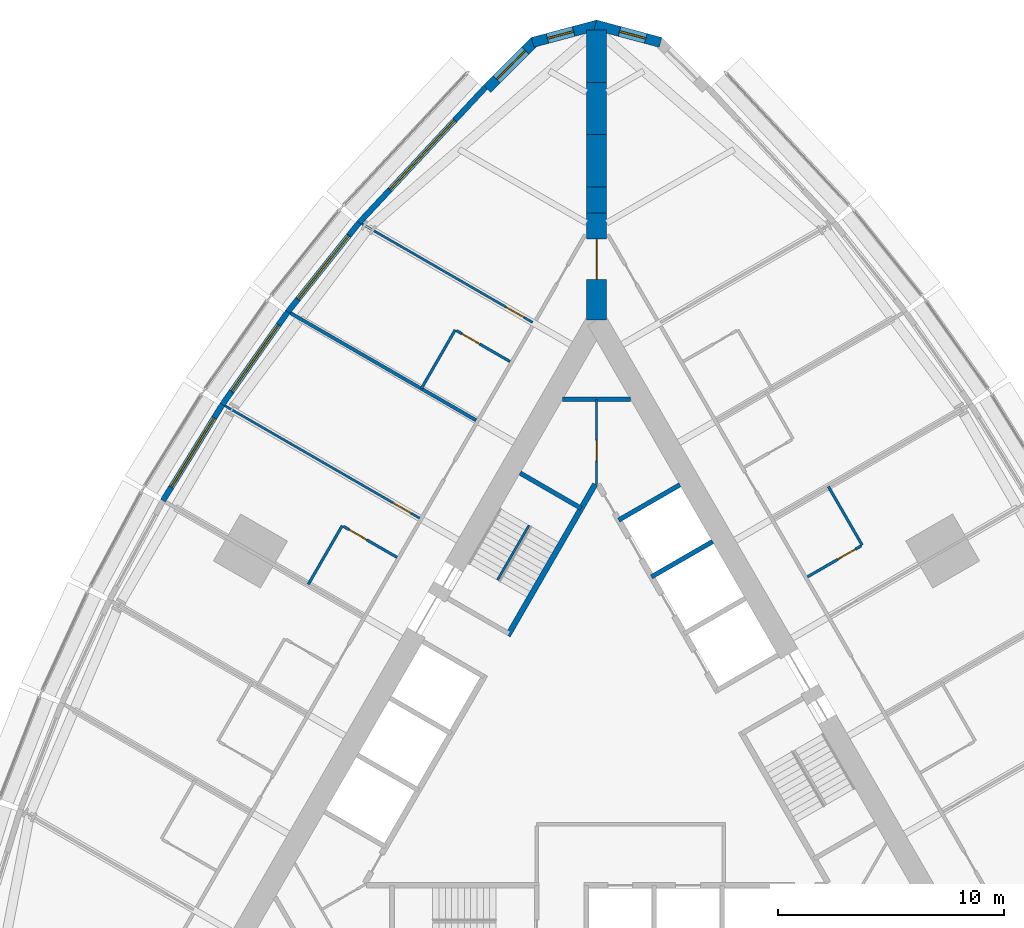
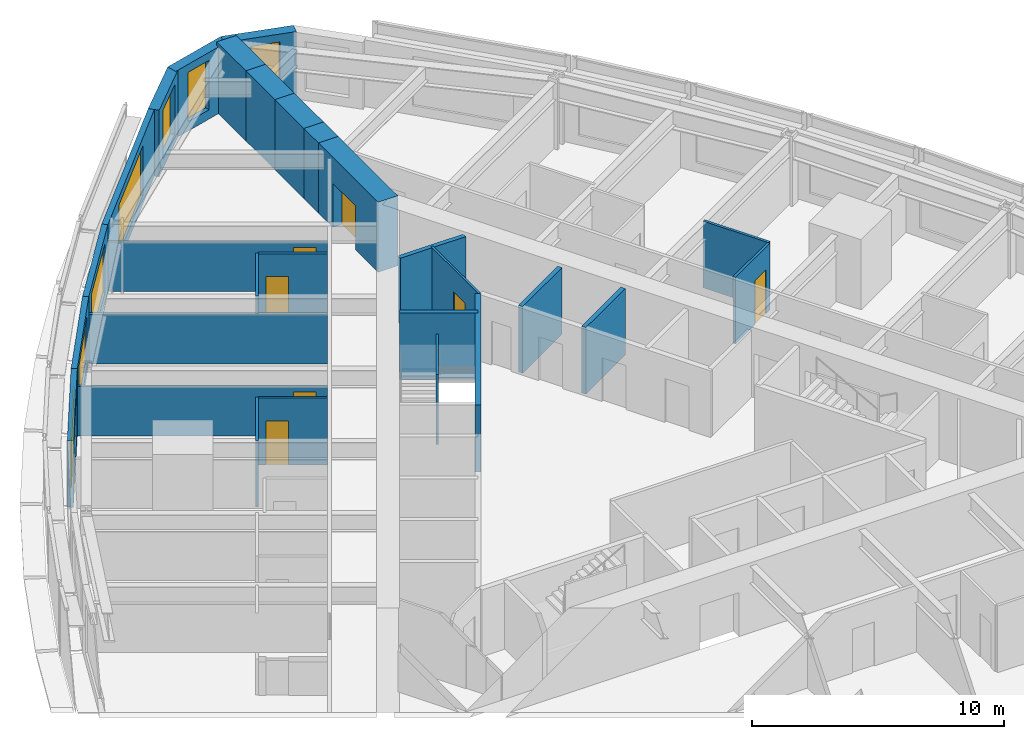
# One storey, part 12 of 14: 28 walls, 7 doors, 7 windows, 14 openings.
"""IFC4 building model written with IfcOpenShell, lengths in metres."""

from ifc_helpers import new_model, si_unit, direction, frame, frame_2d, origin, place, context, subcontext, project, spatial, polyline, rectangle, outline, extrude, material, layer, layer_set, type_object, element, fill, save


model = new_model("IFC4")

# Units and contexts
model_context = context("Model", 3, precision=1e-05, world=origin(), true_north=direction((0.0, 1.0)))
body_context = subcontext(model_context, "Body", "Model", "MODEL_VIEW")
ifc_project = project(units=[si_unit("LENGTHUNIT", "METRE"), si_unit("AREAUNIT", "SQUARE_METRE"), si_unit("VOLUMEUNIT", "CUBIC_METRE"), si_unit("PLANEANGLEUNIT", "RADIAN"), si_unit("MASSUNIT", "GRAM", prefix="KILO")], contexts=[model_context])

# Site, building, storey
site_placement = place(None, origin())
site = spatial("IfcSite", under=ifc_project, at=site_placement, CompositionType="ELEMENT")
building_placement = place(site_placement, origin())
building = spatial("IfcBuilding", under=site, at=building_placement, Name="Trikona Tower", CompositionType="ELEMENT")
storey_placement = place(building_placement, frame((0.0, 0.0, 69.300048828125)))
storey = spatial("IfcBuildingStorey", under=building, at=storey_placement, Name="L17", CompositionType="ELEMENT", Elevation=69.300048828125)

# Wall
ifc_material_1 = material(Name="Metal stud and cement board", Category="gypsum")
ifc_layer_1 = layer(ifc_material_1, 0.1201171875)
ifc_layer_set_1 = layer_set([ifc_layer_1], Name="Bathroom wall 120")
wall_type_1 = type_object("IfcWallType", Name="Bathroom wall 120", PredefinedType="PLUMBINGWALL", material=ifc_layer_set_1)
wall_1_placement = place(storey_placement, frame((11.75341796875, 9.09521484375, 0.0), z_axis=(0.0, 0.0, 1.0), x_axis=(-0.499990139034, 0.866031096941, 0.0)))
element("IfcWall", 1, at=wall_1_placement, inside=storey, type_object=wall_type_1, Name="Bathroom wall 1709.1", PredefinedType="PLUMBINGWALL", context=body_context, shape_type="SweptSolid", body=[
    extrude(rectangle(XDim=3.0, YDim=0.1201171875, at=frame_2d((1.5, 0.0))), origin(), (0.0, 0.0, 1.0), 3.23486328125),
])

# Wall, opening, door
wall_2_placement = place(storey_placement, frame((9.32861328125, 7.6953125, 0.0), z_axis=(0.0, 0.0, 1.0), x_axis=(0.866035715982, 0.499982138324, 0.0)))
wall_2 = element("IfcWall", 2, at=wall_2_placement, inside=storey, type_object=wall_type_1, Name="Bathroom wall 1709.1", PredefinedType="PLUMBINGWALL", context=body_context, shape_type="SweptSolid", body=[
    extrude(rectangle(XDim=2.73974609375, YDim=0.1201171875, at=frame_2d((1.369873046875, 0.0))), origin(), (0.0, 0.0, 1.0), 3.23486328125),
])
opening_1_placement = place(wall_2_placement, frame((1.550048828125, 0.0, 0.0)))
opening_1 = element("IfcOpeningElement", 3, at=opening_1_placement, cuts=wall_2, Name="Opening D2", PredefinedType="OPENING", context=body_context, shape_type="SweptSolid", body=[
    extrude(rectangle(XDim=0.89990234375, YDim=2.1298828125, at=frame_2d((0.449951171875, 1.06494140625))), frame((0.0, 0.070068359375, 0.0), z_axis=(0.0, -1.0, 0.0), x_axis=(1.0, 0.0, 0.0)), (0.0, 0.0, 1.0), 0.14013671875),
])
ifc_material_2 = material(Name="Steel door frame with solid-core timber leaf", Category="steel")
door_type_1 = type_object("IfcDoorType", Name="Bathroom door 900x2130", OperationType="SLIDING_TO_LEFT", PredefinedType="DOOR", material=ifc_material_2)
door_1_placement = place(opening_1_placement, origin())
door_1 = element("IfcDoor", 4, at=door_1_placement, inside=storey, type_object=door_type_1, Name="Bathroom door 1709.1", OperationType="SLIDING_TO_LEFT", OverallHeight=2.1298828125, OverallWidth=0.89990234375, PredefinedType="DOOR", context=body_context, shape_type="SweptSolid", body=[
    extrude(rectangle(XDim=0.89990234375, YDim=2.1298828125, at=frame_2d((0.449951171875, 1.06494140625))), frame((0.0, 0.02490234375, 0.0), z_axis=(0.0, -1.0, 0.0), x_axis=(1.0, 0.0, 0.0)), (0.0, 0.0, 1.0), 0.050048828125),
])
fill(opening_1, door_1)

# Wall
wall_3_placement = place(storey_placement, frame((-6.25341796875, 18.62158203125, 0.0), z_axis=(0.0, 0.0, 1.0), x_axis=(-0.499990139034, -0.866031096941, 0.0)))
element("IfcWall", 5, at=wall_3_placement, inside=storey, type_object=wall_type_1, Name="Bathroom wall 1712.1", PredefinedType="PLUMBINGWALL", context=body_context, shape_type="SweptSolid", body=[
    extrude(rectangle(XDim=3.0, YDim=0.1201171875, at=frame_2d((1.5, 0.0))), origin(), (0.0, 0.0, 1.0), 3.23486328125),
])

# Wall, opening, door
wall_4_placement = place(storey_placement, frame((-3.82861328125, 17.221435546875, 0.0), z_axis=(0.0, 0.0, 1.0), x_axis=(-0.865997131366, 0.500048966069, 0.0)))
wall_4 = element("IfcWall", 6, at=wall_4_placement, inside=storey, type_object=wall_type_1, Name="Bathroom wall 1712.1", PredefinedType="PLUMBINGWALL", context=body_context, shape_type="SweptSolid", body=[
    extrude(rectangle(XDim=2.739990234375, YDim=0.1201171875, at=frame_2d((1.3701171875, 0.0))), origin(), (0.0, 0.0, 1.0), 3.23486328125),
])
opening_2_placement = place(wall_4_placement, frame((1.550048828125, 0.0, 0.0)))
opening_2 = element("IfcOpeningElement", 7, at=opening_2_placement, cuts=wall_4, Name="Opening D2", PredefinedType="OPENING", context=body_context, shape_type="SweptSolid", body=[
    extrude(rectangle(XDim=0.89990234375, YDim=2.1298828125, at=frame_2d((0.449951171875, 1.06494140625))), frame((0.0, 0.070068359375, 0.0), z_axis=(0.0, -1.0, 0.0), x_axis=(1.0, 0.0, 0.0)), (0.0, 0.0, 1.0), 0.14013671875),
])
door_2_placement = place(opening_2_placement, origin())
door_2 = element("IfcDoor", 8, at=door_2_placement, inside=storey, type_object=door_type_1, Name="Bathroom door 1712.1", OperationType="SLIDING_TO_LEFT", OverallHeight=2.1298828125, OverallWidth=0.89990234375, PredefinedType="DOOR", context=body_context, shape_type="SweptSolid", body=[
    extrude(rectangle(XDim=0.89990234375, YDim=2.1298828125, at=frame_2d((0.449951171875, 1.06494140625))), frame((0.0, 0.02490234375, 0.0), z_axis=(0.0, -1.0, 0.0), x_axis=(1.0, 0.0, 0.0)), (0.0, 0.0, 1.0), 0.050048828125),
])
fill(opening_2, door_2)

# Wall
wall_5_placement = place(storey_placement, frame((-11.25341796875, 9.961181640625, 0.0), z_axis=(0.0, 0.0, 1.0), x_axis=(-0.499990139034, -0.866031096941, 0.0)))
element("IfcWall", 9, at=wall_5_placement, inside=storey, type_object=wall_type_1, Name="Bathroom wall 1713.1", PredefinedType="PLUMBINGWALL", context=body_context, shape_type="SweptSolid", body=[
    extrude(rectangle(XDim=3.0, YDim=0.1201171875, at=frame_2d((1.5, 0.0))), origin(), (0.0, 0.0, 1.0), 3.23486328125),
])

# Wall, opening, door
wall_6_placement = place(storey_placement, frame((-8.82861328125, 8.561279296875, 0.0), z_axis=(0.0, 0.0, 1.0), x_axis=(-0.866035715982, 0.499982138324, 0.0)))
wall_6 = element("IfcWall", 10, at=wall_6_placement, inside=storey, type_object=wall_type_1, Name="Bathroom wall 1713.1", PredefinedType="PLUMBINGWALL", context=body_context, shape_type="SweptSolid", body=[
    extrude(rectangle(XDim=2.73974609375, YDim=0.1201171875, at=frame_2d((1.369873046875, 0.0))), origin(), (0.0, 0.0, 1.0), 3.23486328125),
])
opening_3_placement = place(wall_6_placement, frame((1.550048828125, 0.0, 0.0)))
opening_3 = element("IfcOpeningElement", 11, at=opening_3_placement, cuts=wall_6, Name="Opening D2", PredefinedType="OPENING", context=body_context, shape_type="SweptSolid", body=[
    extrude(rectangle(XDim=0.89990234375, YDim=2.1298828125, at=frame_2d((0.449951171875, 1.06494140625))), frame((0.0, 0.070068359375, 0.0), z_axis=(0.0, -1.0, 0.0), x_axis=(1.0, 0.0, 0.0)), (0.0, 0.0, 1.0), 0.14013671875),
])
door_3_placement = place(opening_3_placement, origin())
door_3 = element("IfcDoor", 12, at=door_3_placement, inside=storey, type_object=door_type_1, Name="Bathroom door 1713.1", OperationType="SLIDING_TO_LEFT", OverallHeight=2.1298828125, OverallWidth=0.89990234375, PredefinedType="DOOR", context=body_context, shape_type="SweptSolid", body=[
    extrude(rectangle(XDim=0.89990234375, YDim=2.1298828125, at=frame_2d((0.449951171875, 1.06494140625))), frame((0.0, 0.02490234375, 0.0), z_axis=(0.0, -1.0, 0.0), x_axis=(1.0, 0.0, 0.0)), (0.0, 0.0, 1.0), 0.050048828125),
])
fill(opening_3, door_3)

# Wall, opening, window
ifc_material_3 = material(Name="Brick-faced precast concrete", Category="masonry")
ifc_layer_2 = layer(ifc_material_3, 0.449951171875)
ifc_layer_set_2 = layer_set([ifc_layer_2], Name="Brick-faced corner wall 450")
wall_type_2 = type_object("IfcWallType", Name="Brick-faced corner wall 450", PredefinedType="SOLIDWALL", material=ifc_layer_set_2)
wall_7_placement = place(storey_placement, frame((2.82861328125, 31.3408203125, 0.0), z_axis=(0.0, 0.0, 1.0), x_axis=(-0.965930548995, 0.258801419081, 0.0)))
wall_7 = element("IfcWall", 13, at=wall_7_placement, inside=storey, type_object=wall_type_2, Name="External wall L17-21", PredefinedType="SOLIDWALL", context=body_context, shape_type="SweptSolid", body=[
    extrude(outline(polyline([(2.988525390625, 0.22509765625), (2.92919921875, 0.22509765625), (2.4375, 0.09326171875), (2.40234375, 0.22509765625), (0.0, 0.22509765625), (0.0, -0.22509765625), (2.988525390625, -0.22509765625), (2.988525390625, 0.22509765625)])), origin(), (0.0, 0.0, 1.0), 3.23486328125),
])
opening_4_placement = place(wall_7_placement, frame((0.676025390625, 0.0, 0.449951171875)))
opening_4 = element("IfcOpeningElement", 14, at=opening_4_placement, cuts=wall_7, Name="Opening W1224", PredefinedType="OPENING", context=body_context, shape_type="SweptSolid", body=[
    extrude(rectangle(XDim=1.199951171875, YDim=2.39990234375, at=frame_2d((0.60009765625, 1.199951171875))), frame((0.0, 0.23486328125, 0.0), z_axis=(0.0, -1.0, 0.0), x_axis=(1.0, 0.0, 0.0)), (0.0, 0.0, 1.0), 0.469970703125),
])
ifc_material_4 = material(Name="Aluminium-framed double glazing", Category="aluminium")
window_type_1 = type_object("IfcWindowType", Name="Window 1200x2400", PartitioningType="SINGLE_PANEL", PredefinedType="WINDOW", material=ifc_material_4)
window_1_placement = place(opening_4_placement, origin())
window_1 = element("IfcWindow", 15, at=window_1_placement, inside=storey, type_object=window_type_1, Name="Window 1711", OverallHeight=2.39990234375, OverallWidth=1.199951171875, PartitioningType="SINGLE_PANEL", PredefinedType="WINDOW", context=body_context, shape_type="SweptSolid", body=[
    extrude(rectangle(XDim=1.199951171875, YDim=2.39990234375, at=frame_2d((0.60009765625, 1.199951171875))), frame((0.0, 0.030029296875, 0.0), z_axis=(0.0, -1.0, 0.0), x_axis=(1.0, 0.0, 0.0)), (0.0, 0.0, 1.0), 0.06005859375),
])
fill(opening_4, window_1)

wall_8_placement = place(storey_placement, frame((0.05810546875, 32.1142578125, 0.0), z_axis=(0.0, 0.0, 1.0), x_axis=(-0.965930548995, -0.258801419081, 0.0)))
wall_8 = element("IfcWall", 16, at=wall_8_placement, inside=storey, type_object=wall_type_2, Name="External wall L17-22", PredefinedType="SOLIDWALL", context=body_context, shape_type="SweptSolid", body=[
    extrude(outline(polyline([(2.988525390625, 0.22509765625), (0.58642578125, 0.22509765625), (0.551025390625, 0.09326171875), (0.059326171875, 0.22509765625), (0.0, 0.22509765625), (0.0, -0.22509765625), (2.988525390625, -0.22509765625), (2.988525390625, 0.22509765625)])), origin(), (0.0, 0.0, 1.0), 3.23486328125),
])
opening_5_placement = place(wall_8_placement, frame((1.112548828125, 0.0, 0.449951171875)))
opening_5 = element("IfcOpeningElement", 17, at=opening_5_placement, cuts=wall_8, Name="Opening W1224", PredefinedType="OPENING", context=body_context, shape_type="SweptSolid", body=[
    extrude(rectangle(XDim=1.199951171875, YDim=2.39990234375, at=frame_2d((0.60009765625, 1.199951171875))), frame((0.0, 0.23486328125, 0.0), z_axis=(0.0, -1.0, 0.0), x_axis=(1.0, 0.0, 0.0)), (0.0, 0.0, 1.0), 0.469970703125),
])
window_2_placement = place(opening_5_placement, origin())
window_2 = element("IfcWindow", 18, at=window_2_placement, inside=storey, type_object=window_type_1, Name="Window 1712", OverallHeight=2.39990234375, OverallWidth=1.199951171875, PartitioningType="SINGLE_PANEL", PredefinedType="WINDOW", context=body_context, shape_type="SweptSolid", body=[
    extrude(rectangle(XDim=1.199951171875, YDim=2.39990234375, at=frame_2d((0.60009765625, 1.199951171875))), frame((0.0, 0.030029296875, 0.0), z_axis=(0.0, -1.0, 0.0), x_axis=(1.0, 0.0, 0.0)), (0.0, 0.0, 1.0), 0.06005859375),
])
fill(opening_5, window_2)

wall_9_placement = place(storey_placement, frame((-2.727783203125, 31.39892578125, 0.0), z_axis=(0.0, 0.0, 1.0), x_axis=(-0.707106781187, -0.707106781187, 0.0)))
wall_9 = element("IfcWall", 19, at=wall_9_placement, inside=storey, type_object=wall_type_2, Name="External wall L17-23", PredefinedType="SOLIDWALL", context=body_context, shape_type="SweptSolid", body=[
    extrude(rectangle(XDim=2.98828125, YDim=0.449951171875, at=frame_2d((1.494140625, 0.0))), origin(), (0.0, 0.0, 1.0), 3.23486328125),
])
opening_6_placement = place(wall_9_placement, frame((0.59423828125, 0.0, 0.449951171875)))
opening_6 = element("IfcOpeningElement", 20, at=opening_6_placement, cuts=wall_9, Name="Opening W1824", PredefinedType="OPENING", context=body_context, shape_type="SweptSolid", body=[
    extrude(rectangle(XDim=1.800048828125, YDim=2.39990234375, at=frame_2d((0.89990234375, 1.199951171875))), frame((0.0, 0.23486328125, 0.0), z_axis=(0.0, -1.0, 0.0), x_axis=(1.0, 0.0, 0.0)), (0.0, 0.0, 1.0), 0.469970703125),
])
ifc_material_5 = material(Name="Aluminium-framed double glazing", Category="aluminium")
window_type_2 = type_object("IfcWindowType", Name="Window 1800x2400", PartitioningType="SINGLE_PANEL", PredefinedType="WINDOW", material=ifc_material_5)
window_3_placement = place(opening_6_placement, origin())
window_3 = element("IfcWindow", 21, at=window_3_placement, inside=storey, type_object=window_type_2, Name="Window 1712", OverallHeight=2.39990234375, OverallWidth=1.800048828125, PartitioningType="SINGLE_PANEL", PredefinedType="WINDOW", context=body_context, shape_type="SweptSolid", body=[
    extrude(rectangle(XDim=1.800048828125, YDim=2.39990234375, at=frame_2d((0.89990234375, 1.199951171875))), frame((0.0, 0.030029296875, 0.0), z_axis=(0.0, -1.0, 0.0), x_axis=(1.0, 0.0, 0.0)), (0.0, 0.0, 1.0), 0.06005859375),
])
fill(opening_6, window_3)

# Wall, opening, door
ifc_material_6 = material(Name="Concrete f'c 10000 psi", Category="concrete")
ifc_layer_3 = layer(ifc_material_6, 0.89990234375)
ifc_layer_set_3 = layer_set([ifc_layer_3], Name="Buttress wall 900")
wall_type_3 = type_object("IfcWallType", Name="Buttress wall 900", PredefinedType="SHEAR", material=ifc_layer_set_3)
wall_10_placement = place(storey_placement, frame((0.0, 19.052490234375, 0.0), z_axis=(0.0, 0.0, 1.0), x_axis=(0.0, 1.0, 0.0)))
wall_10 = element("IfcWall", 22, at=wall_10_placement, inside=storey, type_object=wall_type_3, Name="Buttress wall 2", PredefinedType="SHEAR", context=body_context, shape_type="SweptSolid", body=[
    extrude(rectangle(XDim=4.74609375, YDim=0.89990234375, at=frame_2d((2.373046875, 0.0))), origin(), (0.0, 0.0, 1.0), 3.39990234375),
])
opening_7_placement = place(wall_10_placement, frame((1.800048828125, 0.0, 0.0)))
opening_7 = element("IfcOpeningElement", 23, at=opening_7_placement, cuts=wall_10, Name="Opening D10", PredefinedType="OPENING", context=body_context, shape_type="SweptSolid", body=[
    extrude(rectangle(XDim=1.800048828125, YDim=2.1298828125, at=frame_2d((0.89990234375, 1.06494140625))), frame((0.0, 0.4599609375, 0.0), z_axis=(0.0, -1.0, 0.0), x_axis=(1.0, 0.0, 0.0)), (0.0, 0.0, 1.0), 0.919921875),
])
ifc_material_7 = material(Name="Hollow metal door and frame", Category="steel")
door_type_2 = type_object("IfcDoorType", Name="Cross-corridor door pair 1800x2130", OperationType="DOUBLE_DOOR_DOUBLE_SWING", PredefinedType="DOOR", material=ifc_material_7)
door_4_placement = place(opening_7_placement, origin())
door_4 = element("IfcDoor", 24, at=door_4_placement, inside=storey, type_object=door_type_2, Name="Cross-corridor door 2", OperationType="DOUBLE_DOOR_DOUBLE_SWING", OverallHeight=2.1298828125, OverallWidth=1.800048828125, PredefinedType="DOOR", context=body_context, shape_type="SweptSolid", body=[
    extrude(rectangle(XDim=1.800048828125, YDim=2.1298828125, at=frame_2d((0.89990234375, 1.06494140625))), frame((0.0, 0.02490234375, 0.0), z_axis=(0.0, -1.0, 0.0), x_axis=(1.0, 0.0, 0.0)), (0.0, 0.0, 1.0), 0.050048828125),
])
fill(opening_7, door_4)

# Walls
wall_11_placement = place(storey_placement, frame((0.0, 23.798583984375, 0.0), z_axis=(0.0, 0.0, 1.0), x_axis=(0.0, 1.0, 0.0)))
element("IfcWall", 25, at=wall_11_placement, inside=storey, type_object=wall_type_3, Name="Buttress wall 2 part 2", PredefinedType="SHEAR", context=body_context, shape_type="SweptSolid", body=[
    extrude(rectangle(XDim=1.15478515625, YDim=0.89990234375, at=frame_2d((0.577392578125, 0.0))), origin(), (0.0, 0.0, 1.0), 3.39990234375),
])
wall_12_placement = place(storey_placement, frame((0.0, 24.953369140625, 0.0), z_axis=(0.0, 0.0, 1.0), x_axis=(0.0, 1.0, 0.0)))
element("IfcWall", 26, at=wall_12_placement, inside=storey, type_object=wall_type_3, Name="Buttress wall 2 part 3", PredefinedType="SHEAR", context=body_context, shape_type="SweptSolid", body=[
    extrude(rectangle(XDim=2.309326171875, YDim=0.89990234375, at=frame_2d((1.15478515625, 0.0))), origin(), (0.0, 0.0, 1.0), 3.39990234375),
])
wall_13_placement = place(storey_placement, frame((0.0, 27.2626953125, 0.0), z_axis=(0.0, 0.0, 1.0), x_axis=(0.0, 1.0, 0.0)))
element("IfcWall", 27, at=wall_13_placement, inside=storey, type_object=wall_type_3, Name="Buttress wall 2 part 4", PredefinedType="SHEAR", context=body_context, shape_type="SweptSolid", body=[
    extrude(rectangle(XDim=2.3095703125, YDim=0.89990234375, at=frame_2d((1.15478515625, 0.0))), origin(), (0.0, 0.0, 1.0), 3.39990234375),
])
wall_14_placement = place(storey_placement, frame((0.0, 29.572265625, 0.0), z_axis=(0.0, 0.0, 1.0), x_axis=(0.0, 1.0, 0.0)))
element("IfcWall", 28, at=wall_14_placement, inside=storey, type_object=wall_type_3, Name="Buttress wall 2 part 5", PredefinedType="SHEAR", context=body_context, shape_type="SweptSolid", body=[
    extrude(rectangle(XDim=2.309326171875, YDim=0.89990234375, at=frame_2d((1.15478515625, 0.0))), origin(), (0.0, 0.0, 1.0), 3.39990234375),
])
ifc_material_8 = material(Name="Concrete f'c 8000 psi", Category="concrete")
ifc_layer_4 = layer(ifc_material_8, 0.25)
ifc_layer_set_4 = layer_set([ifc_layer_4], Name="Hub wall 250")
wall_type_4 = type_object("IfcWallType", Name="Hub wall 250", PredefinedType="SOLIDWALL", material=ifc_layer_set_4)
wall_15_placement = place(storey_placement, frame((-0.0625, 11.794189453125, 0.0), z_axis=(0.0, 0.0, 1.0), x_axis=(-0.500006680225, -0.86602154692, 0.0)))
element("IfcWall", 29, at=wall_15_placement, inside=storey, type_object=wall_type_4, Name="Lift lobby wall C1", PredefinedType="SOLIDWALL", context=body_context, shape_type="SweptSolid", body=[
    extrude(rectangle(XDim=7.73291015625, YDim=0.25, at=frame_2d((3.866455078125, 0.0))), origin(), (0.0, 0.0, 1.0), 3.23486328125),
])

# Wall, opening, window
ifc_material_9 = material(Name="Insulated precast concrete spandrel panel", Category="concrete")
ifc_layer_5 = layer(ifc_material_9, 0.25)
ifc_layer_set_5 = layer_set([ifc_layer_5], Name="Inner skin wall 250")
wall_type_5 = type_object("IfcWallType", Name="Inner skin wall 250", PredefinedType="STANDARD", material=ifc_layer_set_5)
wall_16_placement = place(storey_placement, frame((-4.90869140625, 29.359619140625, 0.0), z_axis=(0.0, 0.0, 1.0), x_axis=(-0.682289646561, -0.731081964075, 0.0)))
wall_16 = element("IfcWall", 30, at=wall_16_placement, inside=storey, type_object=wall_type_5, Name="External wall L17-24", PredefinedType="STANDARD", context=body_context, shape_type="SweptSolid", body=[
    extrude(rectangle(XDim=8.2109375, YDim=0.25, at=frame_2d((4.10546875, 0.0))), origin(), (0.0, 0.0, 1.0), 3.23486328125),
])
opening_8_placement = place(wall_16_placement, frame((2.005615234375, 0.0, 0.449951171875)))
opening_8 = element("IfcOpeningElement", 31, at=opening_8_placement, cuts=wall_16, Name="Opening W4224", PredefinedType="OPENING", context=body_context, shape_type="SweptSolid", body=[
    extrude(rectangle(XDim=4.199951171875, YDim=2.39990234375, at=frame_2d((2.10009765625, 1.199951171875))), frame((0.0, 0.135009765625, 0.0), z_axis=(0.0, -1.0, 0.0), x_axis=(1.0, 0.0, 0.0)), (0.0, 0.0, 1.0), 0.27001953125),
])
ifc_material_10 = material(Name="Aluminium-framed double glazing", Category="aluminium")
window_type_3 = type_object("IfcWindowType", Name="Window 4200x2400", PartitioningType="SINGLE_PANEL", PredefinedType="WINDOW", material=ifc_material_10)
window_4_placement = place(opening_8_placement, origin())
window_4 = element("IfcWindow", 32, at=window_4_placement, inside=storey, type_object=window_type_3, Name="Window 1712", OverallHeight=2.39990234375, OverallWidth=4.199951171875, PartitioningType="SINGLE_PANEL", PredefinedType="WINDOW", context=body_context, shape_type="SweptSolid", body=[
    extrude(rectangle(XDim=4.199951171875, YDim=2.39990234375, at=frame_2d((2.10009765625, 1.199951171875))), frame((0.0, 0.030029296875, 0.0), z_axis=(0.0, -1.0, 0.0), x_axis=(1.0, 0.0, 0.0)), (0.0, 0.0, 1.0), 0.06005859375),
])
fill(opening_8, window_4)

wall_17_placement = place(storey_placement, frame((-10.5048828125, 23.36376953125, 0.0), z_axis=(0.0, 0.0, 1.0), x_axis=(-0.624594965756, -0.780948864364, 0.0)))
wall_17 = element("IfcWall", 33, at=wall_17_placement, inside=storey, type_object=wall_type_5, Name="External wall L17-25", PredefinedType="STANDARD", context=body_context, shape_type="SweptSolid", body=[
    extrude(rectangle(XDim=5.0576171875, YDim=0.25, at=frame_2d((2.52880859375, 0.0))), origin(), (0.0, 0.0, 1.0), 3.23486328125),
])
opening_9_placement = place(wall_17_placement, frame((0.728759765625, 0.0, 0.449951171875)))
opening_9 = element("IfcOpeningElement", 34, at=opening_9_placement, cuts=wall_17, Name="Opening W3624", PredefinedType="OPENING", context=body_context, shape_type="SweptSolid", body=[
    extrude(rectangle(XDim=3.60009765625, YDim=2.39990234375, at=frame_2d((1.800048828125, 1.199951171875))), frame((0.0, 0.135009765625, 0.0), z_axis=(0.0, -1.0, 0.0), x_axis=(1.0, 0.0, 0.0)), (0.0, 0.0, 1.0), 0.27001953125),
])
ifc_material_11 = material(Name="Aluminium-framed double glazing", Category="aluminium")
window_type_4 = type_object("IfcWindowType", Name="Window 3600x2400", PartitioningType="SINGLE_PANEL", PredefinedType="WINDOW", material=ifc_material_11)
window_5_placement = place(opening_9_placement, origin())
window_5 = element("IfcWindow", 35, at=window_5_placement, inside=storey, type_object=window_type_4, Name="Window 1712.1", OverallHeight=2.39990234375, OverallWidth=3.60009765625, PartitioningType="SINGLE_PANEL", PredefinedType="WINDOW", context=body_context, shape_type="SweptSolid", body=[
    extrude(rectangle(XDim=3.60009765625, YDim=2.39990234375, at=frame_2d((1.800048828125, 1.199951171875))), frame((0.0, 0.030029296875, 0.0), z_axis=(0.0, -1.0, 0.0), x_axis=(1.0, 0.0, 0.0)), (0.0, 0.0, 1.0), 0.06005859375),
])
fill(opening_9, window_5)

wall_18_placement = place(storey_placement, frame((-13.659423828125, 19.420166015625, 0.0), z_axis=(0.0, 0.0, 1.0), x_axis=(-0.5766431066, -0.81699616132, 0.0)))
wall_18 = element("IfcWall", 36, at=wall_18_placement, inside=storey, type_object=wall_type_5, Name="External wall L17-26", PredefinedType="STANDARD", context=body_context, shape_type="SweptSolid", body=[
    extrude(rectangle(XDim=5.02099609375, YDim=0.25, at=frame_2d((2.510498046875, 0.0))), origin(), (0.0, 0.0, 1.0), 3.23486328125),
])
opening_10_placement = place(wall_18_placement, frame((0.71044921875, 0.0, 0.449951171875)))
opening_10 = element("IfcOpeningElement", 37, at=opening_10_placement, cuts=wall_18, Name="Opening W3624", PredefinedType="OPENING", context=body_context, shape_type="SweptSolid", body=[
    extrude(rectangle(XDim=3.60009765625, YDim=2.39990234375, at=frame_2d((1.800048828125, 1.199951171875))), frame((0.0, 0.135009765625, 0.0), z_axis=(0.0, -1.0, 0.0), x_axis=(1.0, 0.0, 0.0)), (0.0, 0.0, 1.0), 0.27001953125),
])
window_6_placement = place(opening_10_placement, origin())
window_6 = element("IfcWindow", 38, at=window_6_placement, inside=storey, type_object=window_type_4, Name="Window 1713", OverallHeight=2.39990234375, OverallWidth=3.60009765625, PartitioningType="SINGLE_PANEL", PredefinedType="WINDOW", context=body_context, shape_type="SweptSolid", body=[
    extrude(rectangle(XDim=3.60009765625, YDim=2.39990234375, at=frame_2d((1.800048828125, 1.199951171875))), frame((0.0, 0.030029296875, 0.0), z_axis=(0.0, -1.0, 0.0), x_axis=(1.0, 0.0, 0.0)), (0.0, 0.0, 1.0), 0.06005859375),
])
fill(opening_10, window_6)

wall_19_placement = place(storey_placement, frame((-16.550537109375, 15.324462890625, 0.0), z_axis=(0.0, 0.0, 1.0), x_axis=(-0.526132807704, -0.850402415717, 0.0)))
wall_19 = element("IfcWall", 39, at=wall_19_placement, inside=storey, type_object=wall_type_5, Name="External wall L17-27", PredefinedType="STANDARD", context=body_context, shape_type="SweptSolid", body=[
    extrude(rectangle(XDim=5.002197265625, YDim=0.25, at=frame_2d((2.5009765625, 0.0))), origin(), (0.0, 0.0, 1.0), 3.23486328125),
])
opening_11_placement = place(wall_19_placement, frame((0.701171875, 0.0, 0.449951171875)))
opening_11 = element("IfcOpeningElement", 40, at=opening_11_placement, cuts=wall_19, Name="Opening W3624", PredefinedType="OPENING", context=body_context, shape_type="SweptSolid", body=[
    extrude(rectangle(XDim=3.60009765625, YDim=2.39990234375, at=frame_2d((1.800048828125, 1.199951171875))), frame((0.0, 0.135009765625, 0.0), z_axis=(0.0, -1.0, 0.0), x_axis=(1.0, 0.0, 0.0)), (0.0, 0.0, 1.0), 0.27001953125),
])
window_7_placement = place(opening_11_placement, origin())
window_7 = element("IfcWindow", 41, at=window_7_placement, inside=storey, type_object=window_type_4, Name="Window 1713.1", OverallHeight=2.39990234375, OverallWidth=3.60009765625, PartitioningType="SINGLE_PANEL", PredefinedType="WINDOW", context=body_context, shape_type="SweptSolid", body=[
    extrude(rectangle(XDim=3.60009765625, YDim=2.39990234375, at=frame_2d((1.800048828125, 1.199951171875))), frame((0.0, 0.030029296875, 0.0), z_axis=(0.0, -1.0, 0.0), x_axis=(1.0, 0.0, 0.0)), (0.0, 0.0, 1.0), 0.06005859375),
])
fill(opening_11, window_7)

# Walls
ifc_material_12 = material(Name="Metal stud and gypsum board, 1-hour acoustic", Category="gypsum")
ifc_layer_6 = layer(ifc_material_12, 0.14990234375)
ifc_layer_set_6 = layer_set([ifc_layer_6], Name="Party wall 150")
wall_type_6 = type_object("IfcWallType", Name="Party wall 150", PredefinedType="PARTITIONING", material=ifc_layer_set_6)
wall_20_placement = place(storey_placement, frame((-5.32861328125, 14.623291015625, 0.0), z_axis=(0.0, 0.0, 1.0), x_axis=(-0.866018409083, 0.500012114982, 0.0)))
element("IfcWall", 42, at=wall_20_placement, inside=storey, type_object=wall_type_6, Name="Partition L17 F3 u-10", PredefinedType="PARTITIONING", context=body_context, shape_type="SweptSolid", body=[
    extrude(rectangle(XDim=9.484619140625, YDim=0.14990234375, at=frame_2d((4.7421875, 0.0))), origin(), (0.0, 0.0, 1.0), 2.38916015625),
])
ifc_material_13 = material(Name="Concrete f'c 8000 psi", Category="concrete")
ifc_layer_7 = layer(ifc_material_13, 0.199951171875)
ifc_layer_set_7 = layer_set([ifc_layer_7], Name="Shaft wall 200")
wall_type_7 = type_object("IfcWallType", Name="Shaft wall 200", PredefinedType="SOLIDWALL", material=ifc_layer_set_7)
for number, where, z_axis, x_axis, name in (
    (43, (2.428955078125, 7.695556640625, 0.0), (0.0, 0.0, 1.0), (0.866022959057, 0.500004234368, 0.0), "Shaft wall B5"),
    (44, (0.97900390625, 10.20703125, 0.0), (0.0, 0.0, 1.0), (0.866022959057, 0.500004234368, 0.0), "Shaft wall B6"),
):
    element("IfcWall", number, at=place(storey_placement, frame(where, z_axis=z_axis, x_axis=x_axis)), inside=storey, type_object=wall_type_7, Name=name, PredefinedType="SOLIDWALL", context=body_context, shape_type="SweptSolid", body=[
        extrude(rectangle(XDim=3.125, YDim=0.199951171875, at=frame_2d((1.5625, 0.0))), origin(), (0.0, 0.0, 1.0), 3.23486328125),
    ])
wall_21_placement = place(storey_placement, frame((-1.501220703125, 15.552490234375, 0.0), z_axis=(0.0, 0.0, 1.0), x_axis=(1.0, 0.0, 0.0)))
element("IfcWall", 45, at=wall_21_placement, inside=storey, type_object=wall_type_7, Name="Riser wall L17-RS2", PredefinedType="SOLIDWALL", context=body_context, shape_type="SweptSolid", body=[
    extrude(rectangle(XDim=3.00244140625, YDim=0.199951171875, at=frame_2d((1.501220703125, 0.0))), origin(), (0.0, 0.0, 1.0), 3.23486328125),
])
ifc_material_14 = material(Name="Concrete f'c 8000 psi", Category="concrete")
ifc_layer_8 = layer(ifc_material_14, 0.199951171875)
ifc_layer_set_8 = layer_set([ifc_layer_8], Name="Shaft wall 200 load-bearing")
wall_type_8 = type_object("IfcWallType", Name="Shaft wall 200 load-bearing", PredefinedType="SOLIDWALL", material=ifc_layer_set_8)
wall_22_placement = place(storey_placement, frame((-0.678955078125, 10.7265625, 0.0), z_axis=(0.0, 0.0, 1.0), x_axis=(-0.866022959057, 0.500004234368, 0.0)))
element("IfcWall", 46, at=wall_22_placement, inside=storey, type_object=wall_type_8, Name="Shaft wall C1", PredefinedType="SOLIDWALL", context=body_context, shape_type="SweptSolid", body=[
    extrude(rectangle(XDim=3.125, YDim=0.199951171875, at=frame_2d((1.5625, 0.0))), origin(), (0.0, 0.0, 1.0), 3.23486328125),
])
ifc_material_15 = material(Name="Concrete f'c 5000 psi", Category="concrete")
ifc_layer_9 = layer(ifc_material_15, 0.10009765625)
ifc_layer_set_9 = layer_set([ifc_layer_9], Name="Stair spine wall 100")
wall_type_9 = type_object("IfcWallType", Name="Stair spine wall 100", PredefinedType="SOLIDWALL", material=ifc_layer_set_9)
wall_23_placement = place(storey_placement, frame((-2.98779296875, 9.9775390625, 0.0), z_axis=(0.0, 0.0, 1.0), x_axis=(-0.499992232847, -0.866029888106, 0.0)))
element("IfcWall", 47, at=wall_23_placement, inside=storey, type_object=wall_type_9, Name="Stair C spine wall L17", PredefinedType="SOLIDWALL", context=body_context, shape_type="SweptSolid", body=[
    extrude(rectangle(XDim=2.7939453125, YDim=0.10009765625, at=frame_2d((1.39697265625, 0.0))), origin(), (0.0, 0.0, 1.0), 3.39990234375),
])

# Wall, opening, door
ifc_material_16 = material(Name="Metal stud and gypsum board, acoustic", Category="gypsum")
ifc_layer_10 = layer(ifc_material_16, 0.10009765625)
ifc_layer_set_10 = layer_set([ifc_layer_10], Name="Suite partition 100")
wall_type_10 = type_object("IfcWallType", Name="Suite partition 100", PredefinedType="PARTITIONING", material=ifc_layer_set_10)
wall_24_placement = place(storey_placement, frame((-2.82861328125, 18.95361328125, 0.0), z_axis=(0.0, 0.0, 1.0), x_axis=(-0.866020536561, 0.500008430184, 0.0)))
wall_24 = element("IfcWall", 48, at=wall_24_placement, inside=storey, type_object=wall_type_10, Name="Suite partition L17 F3 u-15", PredefinedType="PARTITIONING", context=body_context, shape_type="SweptSolid", body=[
    extrude(rectangle(XDim=8.719970703125, YDim=0.10009765625, at=frame_2d((4.35986328125, 0.0))), origin(), (0.0, 0.0, 1.0), 2.38916015625),
])
opening_12_placement = place(wall_24_placement, frame((0.449951171875, 0.0, 0.0)))
opening_12 = element("IfcOpeningElement", 49, at=opening_12_placement, cuts=wall_24, Name="Opening D13", PredefinedType="OPENING", context=body_context, shape_type="SweptSolid", body=[
    extrude(rectangle(XDim=0.89990234375, YDim=2.1298828125, at=frame_2d((0.449951171875, 1.06494140625))), frame((0.0, 0.06005859375, 0.0), z_axis=(0.0, -1.0, 0.0), x_axis=(1.0, 0.0, 0.0)), (0.0, 0.0, 1.0), 0.1201171875),
])
ifc_material_17 = material(Name="Steel door frame with solid-core timber leaf", Category="steel")
door_type_3 = type_object("IfcDoorType", Name="Suite door 900x2130", OperationType="SINGLE_SWING_LEFT", PredefinedType="DOOR", material=ifc_material_17)
door_5_placement = place(opening_12_placement, origin())
door_5 = element("IfcDoor", 50, at=door_5_placement, inside=storey, type_object=door_type_3, Name="Suite door 1712", OperationType="SINGLE_SWING_LEFT", OverallHeight=2.1298828125, OverallWidth=0.89990234375, PredefinedType="DOOR", context=body_context, shape_type="SweptSolid", body=[
    extrude(rectangle(XDim=0.89990234375, YDim=2.1298828125, at=frame_2d((0.449951171875, 1.06494140625))), frame((0.0, 0.02490234375, 0.0), z_axis=(0.0, -1.0, 0.0), x_axis=(1.0, 0.0, 0.0)), (0.0, 0.0, 1.0), 0.050048828125),
])
fill(opening_12, door_5)

wall_25_placement = place(storey_placement, frame((-7.82861328125, 10.293212890625, 0.0), z_axis=(0.0, 0.0, 1.0), x_axis=(-0.866016302457, 0.50001576363, 0.0)))
wall_25 = element("IfcWall", 51, at=wall_25_placement, inside=storey, type_object=wall_type_10, Name="Suite partition L17 F3 u-5", PredefinedType="PARTITIONING", context=body_context, shape_type="SweptSolid", body=[
    extrude(rectangle(XDim=9.943115234375, YDim=0.10009765625, at=frame_2d((4.9716796875, 0.0))), origin(), (0.0, 0.0, 1.0), 2.38916015625),
])
opening_13_placement = place(wall_25_placement, frame((0.449951171875, 0.0, 0.0)))
opening_13 = element("IfcOpeningElement", 52, at=opening_13_placement, cuts=wall_25, Name="Opening D13", PredefinedType="OPENING", context=body_context, shape_type="SweptSolid", body=[
    extrude(rectangle(XDim=0.89990234375, YDim=2.1298828125, at=frame_2d((0.449951171875, 1.06494140625))), frame((0.0, 0.06005859375, 0.0), z_axis=(0.0, -1.0, 0.0), x_axis=(1.0, 0.0, 0.0)), (0.0, 0.0, 1.0), 0.1201171875),
])
door_6_placement = place(opening_13_placement, origin())
door_6 = element("IfcDoor", 53, at=door_6_placement, inside=storey, type_object=door_type_3, Name="Suite door 1713", OperationType="SINGLE_SWING_LEFT", OverallHeight=2.1298828125, OverallWidth=0.89990234375, PredefinedType="DOOR", context=body_context, shape_type="SweptSolid", body=[
    extrude(rectangle(XDim=0.89990234375, YDim=2.1298828125, at=frame_2d((0.449951171875, 1.06494140625))), frame((0.0, 0.02490234375, 0.0), z_axis=(0.0, -1.0, 0.0), x_axis=(1.0, 0.0, 0.0)), (0.0, 0.0, 1.0), 0.050048828125),
])
fill(opening_13, door_6)

wall_26_placement = place(storey_placement, frame((0.0, 15.552490234375, 0.0), z_axis=(0.0, 0.0, 1.0), x_axis=(0.0, -1.0, 0.0)))
wall_26 = element("IfcWall", 54, at=wall_26_placement, inside=storey, type_object=wall_type_10, Name="Store partition L17-RS2", PredefinedType="PARTITIONING", context=body_context, shape_type="SweptSolid", body=[
    extrude(rectangle(XDim=3.775146484375, YDim=0.10009765625, at=frame_2d((1.8876953125, 0.0))), origin(), (0.0, 0.0, 1.0), 3.23486328125),
])
opening_14_placement = place(wall_26_placement, frame((1.815185546875, 0.0, 0.0)))
opening_14 = element("IfcOpeningElement", 55, at=opening_14_placement, cuts=wall_26, Name="Opening D15", PredefinedType="OPENING", context=body_context, shape_type="SweptSolid", body=[
    extrude(rectangle(XDim=0.89990234375, YDim=2.1298828125, at=frame_2d((0.449951171875, 1.06494140625))), frame((0.0, 0.06005859375, 0.0), z_axis=(0.0, -1.0, 0.0), x_axis=(1.0, 0.0, 0.0)), (0.0, 0.0, 1.0), 0.1201171875),
])
ifc_material_18 = material(Name="Steel door frame with solid-core timber leaf", Category="steel")
door_type_4 = type_object("IfcDoorType", Name="Store door 900x2130", OperationType="SINGLE_SWING_LEFT", PredefinedType="DOOR", material=ifc_material_18)
door_7_placement = place(opening_14_placement, origin())
door_7 = element("IfcDoor", 56, at=door_7_placement, inside=storey, type_object=door_type_4, Name="Door Minibar store MBS", OperationType="SINGLE_SWING_RIGHT", OverallHeight=2.1298828125, OverallWidth=0.89990234375, PredefinedType="DOOR", context=body_context, shape_type="SweptSolid", body=[
    extrude(rectangle(XDim=0.89990234375, YDim=2.1298828125, at=frame_2d((0.449951171875, 1.06494140625))), frame((0.0, 0.02490234375, 0.0), z_axis=(0.0, -1.0, 0.0), x_axis=(1.0, 0.0, 0.0)), (0.0, 0.0, 1.0), 0.050048828125),
])
fill(opening_14, door_7)

save(model, "model.ifc")
